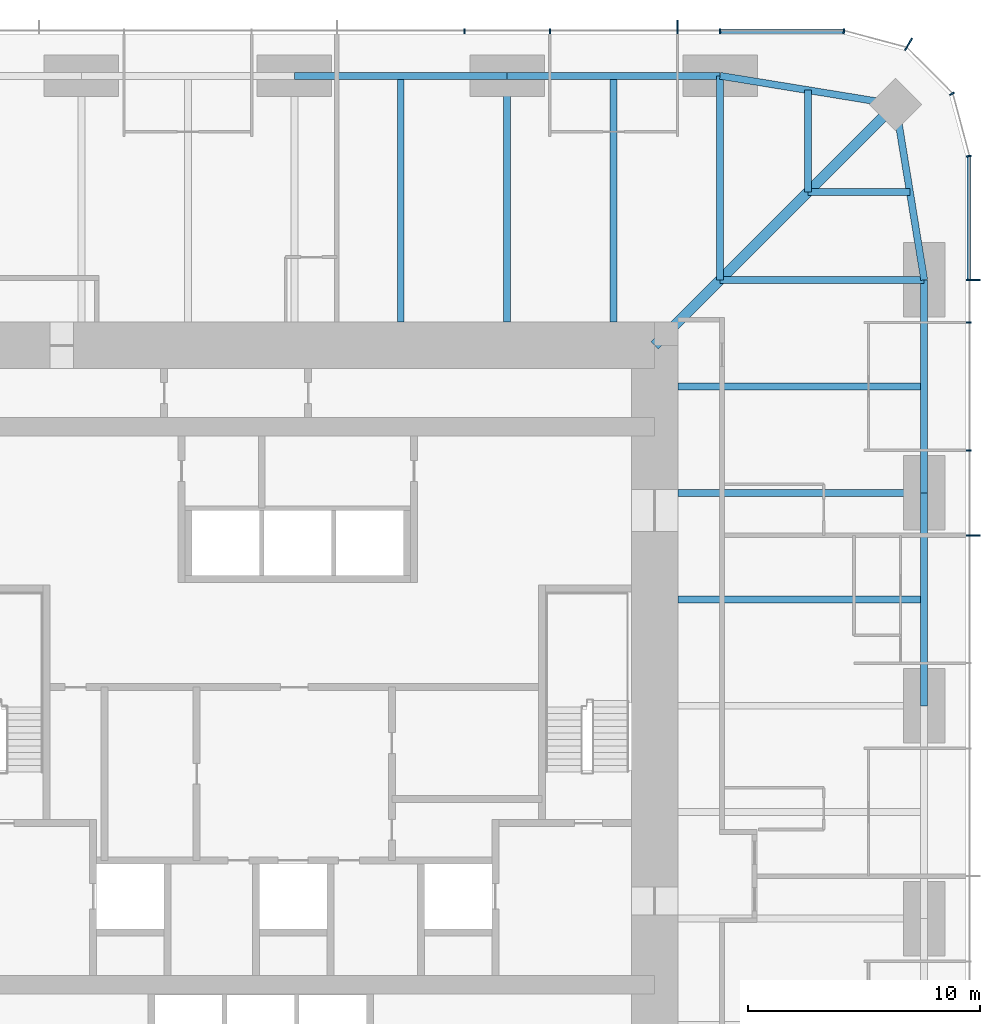
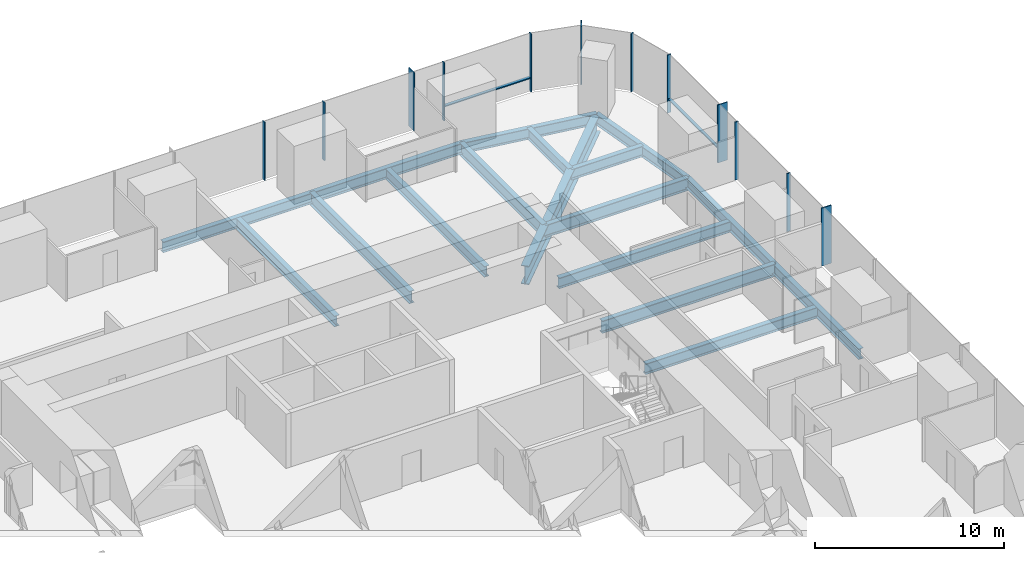
# One storey, part 6 of 13: 17 beams, 14 members, 3 elements without a shape of their own.
"""IFC4 building model written with IfcOpenShell, lengths in metres."""

import ifcopenshell
import ifcopenshell.guid

model = None  # the IFC model being written
_history = None  # IfcOwnerHistory: only IFC2X3 demands one
_inside = {}  # id of a spatial element -> (the spatial element, [elements in it])
_under = {}  # id of a project, library or spatial element -> (it, [spatial elements below it])
_declared = {}  # id of a project -> (the project, [libraries it declares])
_typed = {}  # id of a type object -> (the type object, [elements of that type])
_made_of = {}  # id of a material, layer set ... -> (it, [elements and type objects made of it])


def new_model(schema):
    """Start an empty IFC model of exactly this schema.

    Asked for "IFC4X3", IfcOpenShell would pick the latest addendum, in which some entities
    have other attributes; the version numbers below select the first issue.
    IFC2X3 requires an IfcOwnerHistory on every rooted entity: one is made here for all.
    """
    global model, _history
    if schema == "IFC4X3":
        model = ifcopenshell.file(schema_version=(4, 3, 0, 0))
    else:
        model = ifcopenshell.file(schema=schema)
    _inside.clear()
    _under.clear()
    _declared.clear()
    _typed.clear()
    _made_of.clear()
    _history = None
    if model.schema == "IFC2X3":
        org = make("IfcOrganization", Name="unknown")
        user = make(
            "IfcPersonAndOrganization",
            ThePerson=make("IfcPerson", FamilyName="unknown"),
            TheOrganization=org,
        )
        app = make(
            "IfcApplication",
            ApplicationDeveloper=org,
            Version="unknown",
            ApplicationFullName="unknown",
            ApplicationIdentifier="unknown",
        )
        _history = make(
            "IfcOwnerHistory",
            OwningUser=user,
            OwningApplication=app,
            ChangeAction="ADDED",
            CreationDate=0,
        )
    return model


def make(cls, **values):
    """One entity of the class cls with the attributes given. An attribute that is None is left unset."""
    return model.create_entity(
        cls, **{name: value for name, value in values.items() if value is not None}
    )


def rooted(cls, **values):
    """An entity with a GlobalId (a new one), such as an element, a storey or a relation."""
    return make(cls, GlobalId=ifcopenshell.guid.new(), OwnerHistory=_history, **values)


def si_unit(unit_type, name, prefix=None):
    """IfcSIUnit, for example si_unit("LENGTHUNIT", "METRE", prefix="MILLI")."""
    return make("IfcSIUnit", UnitType=unit_type, Prefix=prefix, Name=name)


def assignment(units):
    """IfcUnitAssignment: the units of a project."""
    return None if units is None else make("IfcUnitAssignment", Units=units)


def point(xyz):
    """IfcCartesianPoint."""
    return None if xyz is None else make("IfcCartesianPoint", Coordinates=xyz)


def direction(xyz):
    """IfcDirection."""
    return None if xyz is None else make("IfcDirection", DirectionRatios=xyz)


def frame(location, z_axis=None, x_axis=None):
    """IfcAxis2Placement3D, a coordinate frame: its origin and axes. An axis left out is left unset."""
    return make(
        "IfcAxis2Placement3D",
        Location=point(location),
        Axis=direction(z_axis),
        RefDirection=direction(x_axis),
    )


def frame_2d(location, x_axis=None):
    """IfcAxis2Placement2D, a coordinate frame in the plane: its origin and x axis."""
    return make(
        "IfcAxis2Placement2D", Location=point(location), RefDirection=direction(x_axis)
    )


def origin():
    """The frame at (0, 0, 0) with its axes left unset."""
    return frame((0.0, 0.0, 0.0))


def origin_2d():
    """The frame at (0, 0) in the plane with its x axis left unset."""
    return frame_2d((0.0, 0.0))


def place(relative_to, where):
    """IfcLocalPlacement: puts the frame where relative to a parent placement (None: the world)."""
    return make(
        "IfcLocalPlacement", PlacementRelTo=relative_to, RelativePlacement=where
    )


def context(
    kind, dimensions, precision=None, world=None, true_north=None, identifier=None
):
    """IfcGeometricRepresentationContext, for example the 3D "Model" context."""
    return make(
        "IfcGeometricRepresentationContext",
        ContextIdentifier=identifier,
        ContextType=kind,
        CoordinateSpaceDimension=dimensions,
        Precision=precision,
        WorldCoordinateSystem=world,
        TrueNorth=true_north,
    )


def subcontext(parent, identifier, kind, view, scale=None):
    """IfcGeometricRepresentationSubContext, for example "Body" below "Model"."""
    return make(
        "IfcGeometricRepresentationSubContext",
        ContextIdentifier=identifier,
        ContextType=kind,
        ParentContext=parent,
        TargetScale=scale,
        TargetView=view,
    )


def project(units=None, contexts=None):
    """IfcProject with its units and contexts."""
    return rooted(
        "IfcProject",
        Name="project",
        RepresentationContexts=contexts,
        UnitsInContext=assignment(units),
    )


def spatial(cls, under=None, at=None, **own):
    """A site, building, storey or space (cls), placed at a placement, below another one or the project."""
    s = rooted(cls, ObjectPlacement=at, **own)
    if under is not None:
        _under.setdefault(under.id(), (under, []))[1].append(s)
    return s


def profile(cls, at=None, kind="AREA", **sizes):
    """A parametric profile (cls). Its sizes go by their IFC names, for example OverallWidth=200.0."""
    return make(cls, ProfileType=kind, Position=at, **sizes)


def rectangle(**sizes):
    """IfcRectangleProfileDef."""
    return profile("IfcRectangleProfileDef", **sizes)


def i_section(**sizes):
    """IfcIShapeProfileDef."""
    return profile("IfcIShapeProfileDef", **sizes)


def extrude(swept, where, along, depth):
    """IfcExtrudedAreaSolid: the profile swept, set in the frame where, extruded along a direction by depth."""
    return make(
        "IfcExtrudedAreaSolid",
        SweptArea=swept,
        Position=where,
        ExtrudedDirection=direction(along),
        Depth=depth,
    )


def shape(context_of_items, identifier, shape_type, items):
    """IfcShapeRepresentation: the items that make up one representation, for example the "Body"."""
    return make(
        "IfcShapeRepresentation",
        ContextOfItems=context_of_items,
        RepresentationIdentifier=identifier,
        RepresentationType=shape_type,
        Items=items,
    )


def material(Name=None, Category=None):
    """IfcMaterial."""
    return make("IfcMaterial", Name=Name, Category=Category)


def material_profile(
    of_material, cross_section, Name=None, Category=None, Priority=None
):
    """IfcMaterialProfile: a cross section and its material."""
    return make(
        "IfcMaterialProfile",
        Name=Name,
        Material=of_material,
        Profile=cross_section,
        Priority=Priority,
        Category=Category,
    )


def profile_set(profiles, Name=None, composite=None):
    """IfcMaterialProfileSet."""
    return make(
        "IfcMaterialProfileSet",
        Name=Name,
        MaterialProfiles=profiles,
        CompositeProfile=composite,
    )


def made_of(thing, what):
    """Note that an element or type object is made of a material, layer set ...; save() writes the relation."""
    if what is not None:
        _made_of.setdefault(what.id(), (what, []))[1].append(thing)
    return thing


def type_object(cls, material=None, **own):
    """A type object (cls), such as IfcWallType, which elements share."""
    return made_of(rooted(cls, **own), material)


def element(
    cls,
    number,
    at=None,
    inside=None,
    cuts=None,
    type_object=None,
    material=None,
    context=None,
    identifier="Body",
    shape_type=None,
    held_by="IfcProductDefinitionShape",
    body=None,
    shapes=None,
    **own,
):
    """One element of the class cls, such as IfcWall. Its Tag is "e" and its number.

    at: its placement. inside: the storey or other place that contains it. cuts: it is an
    opening in that element (IfcRelVoidsElement). A single representation is given by context,
    identifier, shape_type and body (its items); several are given by shapes. held_by: the class
    of the entity that holds the representations. save() writes the other relations.
    """
    e = rooted(cls, Tag="e%d" % number, ObjectPlacement=at, **own)
    if body is not None:
        shapes = [shape(context, identifier, shape_type, body)]
    if shapes is not None:
        e.Representation = make(held_by, Representations=shapes)
    if inside is not None:
        _inside.setdefault(inside.id(), (inside, []))[1].append(e)
    if cuts is not None:
        rooted(
            "IfcRelVoidsElement", RelatingBuildingElement=cuts, RelatedOpeningElement=e
        )
    if type_object is not None:
        _typed.setdefault(type_object.id(), (type_object, []))[1].append(e)
    return made_of(e, material)


def aggregate(whole, parts):
    """IfcRelAggregates: a whole, such as a stair, and the parts it consists of."""
    return rooted("IfcRelAggregates", RelatingObject=whole, RelatedObjects=parts)


def save(model, path):
    """Write the relations noted so far, then the file.

    IfcRelAggregates (storeys below a building ...), IfcRelContainedInSpatialStructure (elements
    in a storey), IfcRelDefinesByType, IfcRelAssociatesMaterial and IfcRelDeclares: one each for
    every whole, place, type object, material and project.
    """
    for whole, parts in _under.values():
        aggregate(whole, parts)
    for where, things in _inside.values():
        rooted(
            "IfcRelContainedInSpatialStructure",
            RelatedElements=things,
            RelatingStructure=where,
        )
    for kind, things in _typed.values():
        rooted("IfcRelDefinesByType", RelatedObjects=things, RelatingType=kind)
    for what, things in _made_of.values():
        rooted("IfcRelAssociatesMaterial", RelatedObjects=things, RelatingMaterial=what)
    for by, libraries in _declared.values():
        rooted("IfcRelDeclares", RelatingContext=by, RelatedDefinitions=libraries)
    model.write(path)


model = new_model("IFC4")

# Units and contexts
model_context = context("Model", 3, precision=1e-05, world=origin(), true_north=direction((0.0, 1.0)))
body_context = subcontext(model_context, "Body", "Model", "MODEL_VIEW")
ifc_project = project(units=[si_unit("LENGTHUNIT", "METRE"), si_unit("AREAUNIT", "SQUARE_METRE"), si_unit("VOLUMEUNIT", "CUBIC_METRE"), si_unit("PLANEANGLEUNIT", "RADIAN"), si_unit("MASSUNIT", "GRAM", prefix="KILO")], contexts=[model_context])

# Site, building, storey
site_placement = place(None, origin())
site = spatial("IfcSite", under=ifc_project, at=site_placement, CompositionType="ELEMENT")
building_placement = place(site_placement, origin())
building = spatial("IfcBuilding", under=site, at=building_placement, Name="Khuree Lantern Residences", CompositionType="ELEMENT")
storey_placement = place(building_placement, frame((0.0, 0.0, 129.75)))
storey = spatial("IfcBuildingStorey", under=building, at=storey_placement, Name="L32", CompositionType="ELEMENT", Elevation=129.75)

# Beams
ifc_material_1 = material(Name="Steel S355", Category="steel")
ifc_material_profile_1 = material_profile(ifc_material_1, i_section(OverallWidth=0.300048828125, OverallDepth=0.68994140625, WebThickness=0.014404296875, FlangeThickness=0.027099609375, FilletRadius=0.027099609375, at=origin_2d()), Name="HE 700 A")
ifc_profile_set_1 = profile_set([ifc_material_profile_1], Name="Steel S355")
beam_type_1 = type_object("IfcBeamType", Name="B-22 SECONDARY BEAM HE 700 A", PredefinedType="BEAM", material=ifc_profile_set_1)
for number, where, z_axis, x_axis, name in (
    (1, (4.580078125, 27.10009765625, -0.594970703125), (0.0, -1.0, 0.0), (1.0, 0.0, 0.0), "Secondary beam N3"),
    (2, (13.739990234375, 27.10009765625, -0.594970703125), (0.0, -1.0, 0.0), (1.0, 0.0, 0.0), "Secondary beam N4"),
):
    element("IfcBeam", number, at=place(storey_placement, frame(where, z_axis=z_axis, x_axis=x_axis)), inside=storey, type_object=beam_type_1, Name=name, PredefinedType="BEAM", context=body_context, shape_type="SweptSolid", body=[
        extrude(i_section(OverallWidth=0.300048828125, OverallDepth=0.68994140625, WebThickness=0.014404296875, FlangeThickness=0.027099609375, FilletRadius=0.027099609375, at=origin_2d()), origin(), (0.0, 0.0, 1.0), 10.60009765625),
    ])
for number, where, z_axis, x_axis, name in (
    (3, (22.094970703125, 26.48486328125, -0.594970703125), (0.0, -1.0, 0.0), (1.0, 0.0, 0.0), "Secondary beam N5"),
    (4, (26.48486328125, 22.094970703125, -0.594970703125), (-1.0, 0.0, 0.0), (0.0, -1.0, 0.0), "Secondary beam E1"),
):
    element("IfcBeam", number, at=place(storey_placement, frame(where, z_axis=z_axis, x_axis=x_axis)), inside=storey, type_object=beam_type_1, Name=name, PredefinedType="BEAM", context=body_context, shape_type="SweptSolid", body=[
        extrude(i_section(OverallWidth=0.300048828125, OverallDepth=0.68994140625, WebThickness=0.014404296875, FlangeThickness=0.027099609375, FilletRadius=0.027099609375, at=origin_2d()), origin(), (0.0, 0.0, 1.0), 4.389892578125),
    ])
for number, where, z_axis, x_axis, name in (
    (5, (27.10009765625, 13.739990234375, -0.594970703125), (-1.0, 0.0, 0.0), (0.0, -1.0, 0.0), "Secondary beam E2"),
    (6, (27.10009765625, 4.580078125, -0.594970703125), (-1.0, 0.0, 0.0), (0.0, -1.0, 0.0), "Secondary beam E3"),
):
    element("IfcBeam", number, at=place(storey_placement, frame(where, z_axis=z_axis, x_axis=x_axis)), inside=storey, type_object=beam_type_1, Name=name, PredefinedType="BEAM", context=body_context, shape_type="SweptSolid", body=[
        extrude(i_section(OverallWidth=0.300048828125, OverallDepth=0.68994140625, WebThickness=0.014404296875, FlangeThickness=0.027099609375, FilletRadius=0.027099609375, at=origin_2d()), origin(), (0.0, 0.0, 1.0), 10.60009765625),
    ])
ifc_material_profile_2 = material_profile(ifc_material_1, i_section(OverallWidth=0.300048828125, OverallDepth=0.68994140625, WebThickness=0.014404296875, FlangeThickness=0.027099609375, FilletRadius=0.027099609375, at=origin_2d()), Name="HE 700 A")
ifc_profile_set_2 = profile_set([ifc_material_profile_2], Name="Steel S355")
beam_type_2 = type_object("IfcBeamType", Name="E-22 SPANDREL BEAM HE 700 A", PredefinedType="SPANDREL", material=ifc_profile_set_2)
beam_1_placement = place(storey_placement, frame((0.0, 27.10009765625, -0.594970703125), z_axis=(1.0, 0.0, 0.0), x_axis=(0.0, 1.0, 0.0)))
element("IfcBeam", 7, at=beam_1_placement, inside=storey, type_object=beam_type_2, Name="Spandrel beam N3", PredefinedType="SPANDREL", context=body_context, shape_type="SweptSolid", body=[
    extrude(i_section(OverallWidth=0.300048828125, OverallDepth=0.68994140625, WebThickness=0.014404296875, FlangeThickness=0.027099609375, FilletRadius=0.027099609375, at=origin_2d()), origin(), (0.0, 0.0, 1.0), 9.159912109375),
])
beam_2_placement = place(storey_placement, frame((9.159912109375, 27.10009765625, -0.594970703125), z_axis=(1.0, 0.0, 0.0), x_axis=(0.0, 1.0, 0.0)))
element("IfcBeam", 8, at=beam_2_placement, inside=storey, type_object=beam_type_2, Name="Spandrel beam N4", PredefinedType="SPANDREL", context=body_context, shape_type="SweptSolid", body=[
    extrude(i_section(OverallWidth=0.300048828125, OverallDepth=0.68994140625, WebThickness=0.014404296875, FlangeThickness=0.027099609375, FilletRadius=0.027099609375, at=origin_2d()), origin(), (0.0, 0.0, 1.0), 9.16015625),
])
for number, where, z_axis, x_axis, name in (
    (9, (18.320068359375, 27.10009765625, -0.594970703125), (0.986982656839, -0.160826723833, 0.0), (0.160826723833, 0.986982656839, 0.0), "Spandrel beam N5"),
    (10, (25.869873046875, 25.869873046875, -0.594970703125), (0.160826723833, -0.986982656839, 0.0), (0.986982656839, 0.160826723833, 0.0), "Spandrel beam E1"),
):
    element("IfcBeam", number, at=place(storey_placement, frame(where, z_axis=z_axis, x_axis=x_axis)), inside=storey, type_object=beam_type_2, Name=name, PredefinedType="SPANDREL", context=body_context, shape_type="SweptSolid", body=[
        extrude(i_section(OverallWidth=0.300048828125, OverallDepth=0.68994140625, WebThickness=0.014404296875, FlangeThickness=0.027099609375, FilletRadius=0.027099609375, at=origin_2d()), origin(), (0.0, 0.0, 1.0), 7.6494140625),
    ])
beam_3_placement = place(storey_placement, frame((27.10009765625, 18.320068359375, -0.594970703125), z_axis=(0.0, -1.0, 0.0), x_axis=(1.0, 0.0, 0.0)))
element("IfcBeam", 11, at=beam_3_placement, inside=storey, type_object=beam_type_2, Name="Spandrel beam E2", PredefinedType="SPANDREL", context=body_context, shape_type="SweptSolid", body=[
    extrude(i_section(OverallWidth=0.300048828125, OverallDepth=0.68994140625, WebThickness=0.014404296875, FlangeThickness=0.027099609375, FilletRadius=0.027099609375, at=origin_2d()), origin(), (0.0, 0.0, 1.0), 9.16015625),
])
beam_4_placement = place(storey_placement, frame((27.10009765625, 9.159912109375, -0.594970703125), z_axis=(0.0, -1.0, 0.0), x_axis=(1.0, 0.0, 0.0)))
element("IfcBeam", 12, at=beam_4_placement, inside=storey, type_object=beam_type_2, Name="Spandrel beam E3", PredefinedType="SPANDREL", context=body_context, shape_type="SweptSolid", body=[
    extrude(i_section(OverallWidth=0.300048828125, OverallDepth=0.68994140625, WebThickness=0.014404296875, FlangeThickness=0.027099609375, FilletRadius=0.027099609375, at=origin_2d()), origin(), (0.0, 0.0, 1.0), 9.159912109375),
])

# Curtain wall, members
ifc_material_2 = material(Name="Bronze anodised aluminium", Category="aluminium")
curtain_wall_type_1 = type_object("IfcCurtainWallType", Name="CW-T1 TOWER FACE CURTAIN WALL", PredefinedType="USERDEFINED", material=ifc_material_2)
curtain_wall_1_placement = place(storey_placement, origin())
curtain_wall_1 = element("IfcCurtainWall", 13, at=curtain_wall_1_placement, inside=storey, type_object=curtain_wall_type_1, Name="L32 EAST FACE CURTAIN WALL", ObjectType="Stick-built curtain wall", PredefinedType="USERDEFINED")
ifc_material_profile_3 = material_profile(ifc_material_2, rectangle(XDim=0.06494140625, YDim=0.60009765625, at=origin_2d()), Name="F1 65X600")
ifc_profile_set_3 = profile_set([ifc_material_profile_3], Name="Bronze anodised aluminium")
member_type_1 = type_object("IfcMemberType", Name="F1 BRONZE FIN MULLION TOWER 65X600", PredefinedType="MULLION", material=ifc_profile_set_3)
member_1_placement = place(storey_placement, frame((29.199951171875, 7.327880859375, 0.0), z_axis=(0.0, 0.0, 1.0), x_axis=(0.0, 1.0, 0.0)))
member_1 = element("IfcMember", 14, at=member_1_placement, type_object=member_type_1, Name="L32 EAST FACE FIN MULLION 11", PredefinedType="MULLION", context=body_context, shape_type="SweptSolid", body=[
    extrude(rectangle(XDim=0.06494140625, YDim=0.60009765625, at=origin_2d()), origin(), (0.0, 0.0, 1.0), 3.75),
])
member_2_placement = place(storey_placement, frame((29.199951171875, 18.320068359375, 0.0), z_axis=(0.0, 0.0, 1.0), x_axis=(0.0, 1.0, 0.0)))
member_2 = element("IfcMember", 15, at=member_2_placement, type_object=member_type_1, Name="L32 EAST FACE FIN MULLION 14", PredefinedType="MULLION", context=body_context, shape_type="SweptSolid", body=[
    extrude(rectangle(XDim=0.06494140625, YDim=0.60009765625, at=origin_2d()), origin(), (0.0, 0.0, 1.0), 3.75),
])

# Curtain wall, member
curtain_wall_type_2 = type_object("IfcCurtainWallType", Name="CW-T2 TOWER CORNER CURTAIN WALL", PredefinedType="USERDEFINED", material=ifc_material_2)
curtain_wall_2_placement = place(storey_placement, origin())
curtain_wall_2 = element("IfcCurtainWall", 16, at=curtain_wall_2_placement, inside=storey, type_object=curtain_wall_type_2, Name="L32 NORTH-EAST CORNER CURTAIN WALL", ObjectType="Faceted corner curtain wall", PredefinedType="USERDEFINED")
member_3_placement = place(storey_placement, frame((26.425048828125, 28.45654296875, 0.0), z_axis=(0.0, 0.0, 1.0), x_axis=(-0.866025388199, 0.500000026995, 0.0)))
member_3 = element("IfcMember", 17, at=member_3_placement, type_object=member_type_1, Name="L32 NORTH-EAST CORNER FIN MULLION 17", PredefinedType="MULLION", context=body_context, shape_type="SweptSolid", body=[
    extrude(rectangle(XDim=0.06494140625, YDim=0.60009765625, at=origin_2d()), origin(), (0.0, 0.0, 1.0), 3.75),
])

curtain_wall_3_placement = place(storey_placement, origin())
curtain_wall_3 = element("IfcCurtainWall", 18, at=curtain_wall_3_placement, inside=storey, type_object=curtain_wall_type_1, Name="L32 NORTH FACE CURTAIN WALL", ObjectType="Stick-built curtain wall", PredefinedType="USERDEFINED")
member_4_placement = place(storey_placement, frame((16.488037109375, 29.199951171875, 0.0), z_axis=(0.0, 0.0, 1.0), x_axis=(-1.0, 0.0, 0.0)))
member_4 = element("IfcMember", 19, at=member_4_placement, type_object=member_type_1, Name="L32 NORTH FACE FIN MULLION 20", PredefinedType="MULLION", context=body_context, shape_type="SweptSolid", body=[
    extrude(rectangle(XDim=0.06494140625, YDim=0.60009765625, at=origin_2d()), origin(), (0.0, 0.0, 1.0), 3.75),
])

# Beams
ifc_material_profile_4 = material_profile(ifc_material_1, i_section(OverallWidth=0.300048828125, OverallDepth=0.800048828125, WebThickness=0.017578125, FlangeThickness=0.032958984375, FilletRadius=0.030029296875, at=origin_2d()), Name="HE 800 B")
ifc_profile_set_4 = profile_set([ifc_material_profile_4], Name="Steel S355")
beam_type_3 = type_object("IfcBeamType", Name="G-22 GIRDER HE 800 B", PredefinedType="BEAM", material=ifc_profile_set_4)
beam_5_placement = place(storey_placement, frame((9.159912109375, 27.10009765625, -0.64990234375), z_axis=(0.0, -1.0, 0.0), x_axis=(1.0, 0.0, 0.0)))
element("IfcBeam", 20, at=beam_5_placement, inside=storey, type_object=beam_type_3, Name="Girder N4", PredefinedType="BEAM", context=body_context, shape_type="SweptSolid", body=[
    extrude(i_section(OverallWidth=0.300048828125, OverallDepth=0.800048828125, WebThickness=0.017578125, FlangeThickness=0.032958984375, FilletRadius=0.030029296875, at=origin_2d()), origin(), (0.0, 0.0, 1.0), 10.60009765625),
])
for number, where, z_axis, x_axis, name in (
    (21, (18.320068359375, 27.10009765625, -0.64990234375), (0.0, -1.0, 0.0), (1.0, 0.0, 0.0), "Girder N5"),
    (22, (27.10009765625, 18.320068359375, -0.64990234375), (-1.0, 0.0, 0.0), (0.0, -1.0, 0.0), "Girder E1"),
):
    element("IfcBeam", number, at=place(storey_placement, frame(where, z_axis=z_axis, x_axis=x_axis)), inside=storey, type_object=beam_type_3, Name=name, PredefinedType="BEAM", context=body_context, shape_type="SweptSolid", body=[
        extrude(i_section(OverallWidth=0.300048828125, OverallDepth=0.800048828125, WebThickness=0.017578125, FlangeThickness=0.032958984375, FilletRadius=0.030029296875, at=origin_2d()), origin(), (0.0, 0.0, 1.0), 8.780029296875),
    ])
beam_6_placement = place(storey_placement, frame((27.10009765625, 9.159912109375, -0.64990234375), z_axis=(-1.0, 0.0, 0.0), x_axis=(0.0, -1.0, 0.0)))
element("IfcBeam", 23, at=beam_6_placement, inside=storey, type_object=beam_type_3, Name="Girder E2", PredefinedType="BEAM", context=body_context, shape_type="SweptSolid", body=[
    extrude(i_section(OverallWidth=0.300048828125, OverallDepth=0.800048828125, WebThickness=0.017578125, FlangeThickness=0.032958984375, FilletRadius=0.030029296875, at=origin_2d()), origin(), (0.0, 0.0, 1.0), 10.60009765625),
])
ifc_material_profile_5 = material_profile(ifc_material_1, i_section(OverallWidth=0.449951171875, OverallDepth=1.199951171875, WebThickness=0.02490234375, FlangeThickness=0.044921875, at=origin_2d()), Name="WELDED I 1200X450X25X45")
ifc_profile_set_5 = profile_set([ifc_material_profile_5], Name="Steel S355")
beam_type_4 = type_object("IfcBeamType", Name="GD-22 CORNER GIRDER WELDED I 1200X450X25X45", PredefinedType="BEAM", material=ifc_profile_set_5)
beam_7_placement = place(storey_placement, frame((25.869873046875, 25.869873046875, -0.85009765625), z_axis=(-0.707106781187, -0.707106781187, 0.0), x_axis=(0.707106781187, -0.707106781187, 0.0)))
element("IfcBeam", 24, at=beam_7_placement, inside=storey, type_object=beam_type_4, Name="Corner girder NE", PredefinedType="BEAM", context=body_context, shape_type="SweptSolid", body=[
    extrude(i_section(OverallWidth=0.449951171875, OverallDepth=1.199951171875, WebThickness=0.02490234375, FlangeThickness=0.044921875, at=origin_2d()), origin(), (0.0, 0.0, 1.0), 14.665283203125),
])

# Member
ifc_material_profile_6 = material_profile(ifc_material_2, rectangle(XDim=0.06494140625, YDim=0.219970703125, at=origin_2d()), Name="M1 65X220")
ifc_profile_set_6 = profile_set([ifc_material_profile_6], Name="Bronze anodised aluminium")
member_type_2 = type_object("IfcMemberType", Name="M1 BRONZE MULLION TOWER 65X220", PredefinedType="MULLION", material=ifc_profile_set_6)
member_5_placement = place(storey_placement, frame((29.010009765625, 10.991943359375, 0.0), z_axis=(0.0, 0.0, 1.0), x_axis=(0.0, 1.0, 0.0)))
member_5 = element("IfcMember", 25, at=member_5_placement, type_object=member_type_2, Name="L32 EAST FACE MULLION 12", PredefinedType="MULLION", context=body_context, shape_type="SweptSolid", body=[
    extrude(rectangle(XDim=0.06494140625, YDim=0.219970703125, at=origin_2d()), origin(), (0.0, 0.0, 1.0), 3.75),
])

member_6_placement = place(storey_placement, frame((29.010009765625, 16.488037109375, 0.0), z_axis=(0.0, 0.0, 1.0), x_axis=(0.0, 1.0, 0.0)))
member_6 = element("IfcMember", 26, at=member_6_placement, type_object=member_type_2, Name="L32 EAST FACE MULLION 13", PredefinedType="MULLION", context=body_context, shape_type="SweptSolid", body=[
    extrude(rectangle(XDim=0.06494140625, YDim=0.219970703125, at=origin_2d()), origin(), (0.0, 0.0, 1.0), 3.75),
])

member_7_placement = place(storey_placement, frame((29.01171875, 23.64501953125, 0.0), z_axis=(0.0, 0.0, 1.0), x_axis=(-0.130526223125, 0.991444857305, 0.0)))
member_7 = element("IfcMember", 27, at=member_7_placement, type_object=member_type_2, Name="L32 NORTH-EAST CORNER MULLION 15", PredefinedType="MULLION", context=body_context, shape_type="SweptSolid", body=[
    extrude(rectangle(XDim=0.06494140625, YDim=0.219970703125, at=origin_2d()), origin(), (0.0, 0.0, 1.0), 3.75),
])

member_8_placement = place(storey_placement, frame((28.2919921875, 26.330078125, 0.0), z_axis=(0.0, 0.0, 1.0), x_axis=(-0.500000026995, 0.866025388199, 0.0)))
member_8 = element("IfcMember", 28, at=member_8_placement, type_object=member_type_2, Name="L32 NORTH-EAST CORNER MULLION 16", PredefinedType="MULLION", context=body_context, shape_type="SweptSolid", body=[
    extrude(rectangle(XDim=0.06494140625, YDim=0.219970703125, at=origin_2d()), origin(), (0.0, 0.0, 1.0), 3.75),
])

aggregate(curtain_wall_2, [member_7, member_8, member_3])

member_9_placement = place(storey_placement, frame((23.64501953125, 29.01171875, 0.0), z_axis=(0.0, 0.0, 1.0), x_axis=(-0.991444857305, 0.130526223125, 0.0)))
member_9 = element("IfcMember", 29, at=member_9_placement, type_object=member_type_2, Name="L32 NORTH FACE MULLION 18", PredefinedType="MULLION", context=body_context, shape_type="SweptSolid", body=[
    extrude(rectangle(XDim=0.06494140625, YDim=0.219970703125, at=origin_2d()), origin(), (0.0, 0.0, 1.0), 3.75),
])

member_10_placement = place(storey_placement, frame((18.320068359375, 29.010009765625, 0.0), z_axis=(0.0, 0.0, 1.0), x_axis=(-1.0, 0.0, 0.0)))
member_10 = element("IfcMember", 30, at=member_10_placement, type_object=member_type_2, Name="L32 NORTH FACE MULLION 19", PredefinedType="MULLION", context=body_context, shape_type="SweptSolid", body=[
    extrude(rectangle(XDim=0.06494140625, YDim=0.219970703125, at=origin_2d()), origin(), (0.0, 0.0, 1.0), 3.75),
])

member_11_placement = place(storey_placement, frame((10.991943359375, 29.010009765625, 0.0), z_axis=(0.0, 0.0, 1.0), x_axis=(-1.0, 0.0, 0.0)))
member_11 = element("IfcMember", 31, at=member_11_placement, type_object=member_type_2, Name="L32 NORTH FACE MULLION 21", PredefinedType="MULLION", context=body_context, shape_type="SweptSolid", body=[
    extrude(rectangle(XDim=0.06494140625, YDim=0.219970703125, at=origin_2d()), origin(), (0.0, 0.0, 1.0), 3.75),
])

member_12_placement = place(storey_placement, frame((7.327880859375, 29.010009765625, 0.0), z_axis=(0.0, 0.0, 1.0), x_axis=(-1.0, 0.0, 0.0)))
member_12 = element("IfcMember", 32, at=member_12_placement, type_object=member_type_2, Name="L32 NORTH FACE MULLION 22", PredefinedType="MULLION", context=body_context, shape_type="SweptSolid", body=[
    extrude(rectangle(XDim=0.06494140625, YDim=0.219970703125, at=origin_2d()), origin(), (0.0, 0.0, 1.0), 3.75),
])

ifc_material_profile_7 = material_profile(ifc_material_2, rectangle(XDim=0.179931640625, YDim=0.06494140625, at=origin_2d()), Name="T1 180X65")
ifc_profile_set_7 = profile_set([ifc_material_profile_7], Name="Bronze anodised aluminium")
member_type_3 = type_object("IfcMemberType", Name="TRANSOM T1 TOWER 180X65", PredefinedType="USERDEFINED", material=ifc_profile_set_7)
member_13_placement = place(storey_placement, frame((29.02001953125, 18.3525390625, 0.89990234375), z_axis=(0.0, 1.0, 0.0), x_axis=(-1.0, 0.0, 0.0)))
member_13 = element("IfcMember", 33, at=member_13_placement, type_object=member_type_3, Name="L32 EAST FACE TRANSOM 14.1", ObjectType="Transom", PredefinedType="USERDEFINED", context=body_context, shape_type="SweptSolid", body=[
    extrude(rectangle(XDim=0.179931640625, YDim=0.06494140625, at=origin_2d()), origin(), (0.0, 0.0, 1.0), 5.248779296875),
])

aggregate(curtain_wall_1, [member_1, member_5, member_6, member_2, member_13])

member_14_placement = place(storey_placement, frame((23.601318359375, 29.02001953125, 0.89990234375), z_axis=(-1.0, 0.0, 0.0), x_axis=(0.0, -1.0, 0.0)))
member_14 = element("IfcMember", 34, at=member_14_placement, type_object=member_type_3, Name="L32 NORTH FACE TRANSOM 18.1", ObjectType="Transom", PredefinedType="USERDEFINED", context=body_context, shape_type="SweptSolid", body=[
    extrude(rectangle(XDim=0.179931640625, YDim=0.06494140625, at=origin_2d()), origin(), (0.0, 0.0, 1.0), 5.248779296875),
])

aggregate(curtain_wall_3, [member_9, member_10, member_4, member_11, member_12, member_14])

save(model, "model.ifc")
